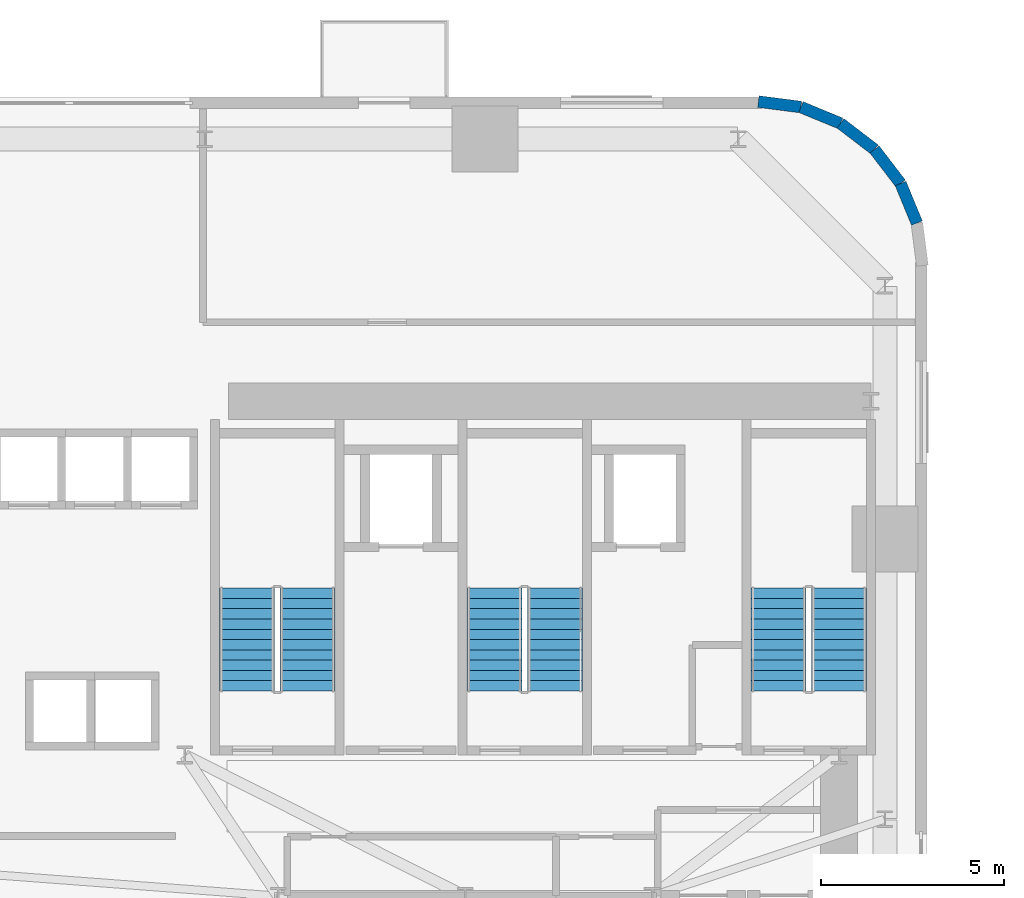
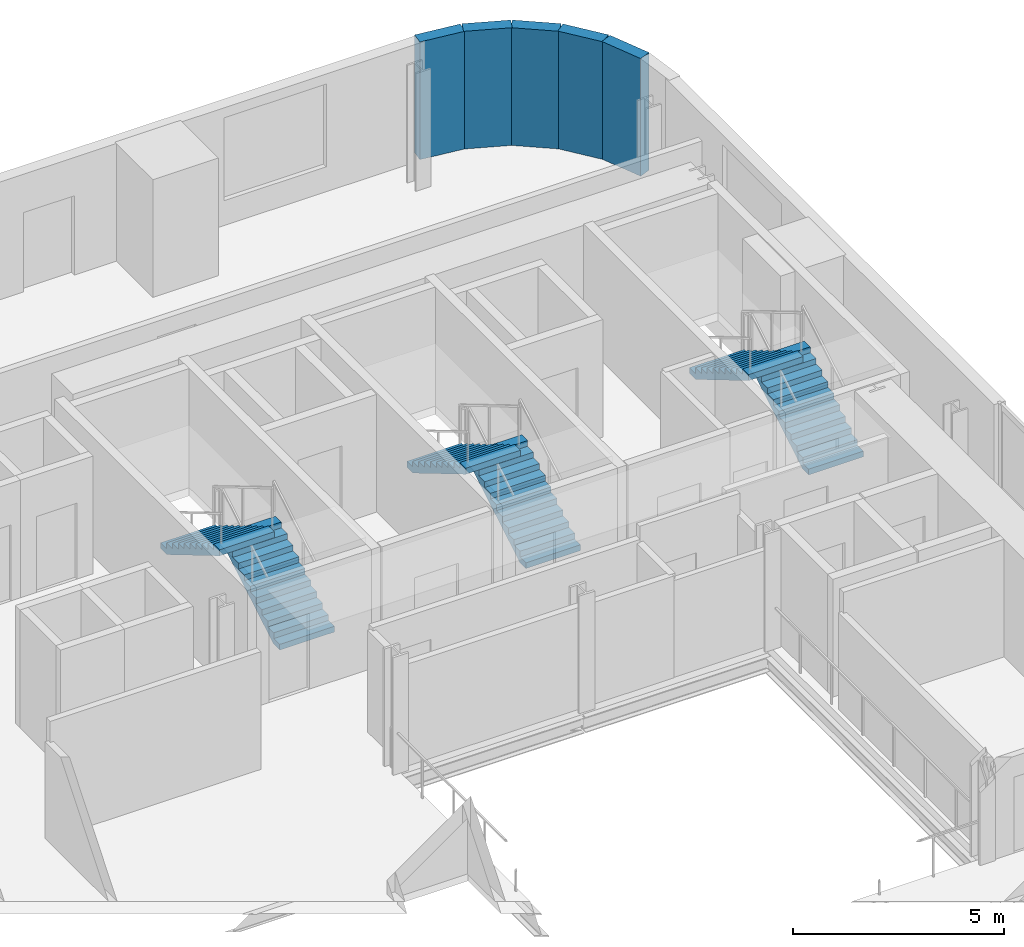
# One storey, part 9 of 13: 6 stair flights, 5 walls, 3 elements without a shape of their own.
"""IFC4 building model written with IfcOpenShell, lengths in metres."""

from ifc_helpers import new_model, si_unit, direction, frame, frame_2d, origin, place, context, subcontext, project, spatial, polyline, rectangle, outline, extrude, source, transform, mapped, material, layer, layer_set, type_object, element, aggregate, save


model = new_model("IFC4")

# Units and contexts
model_context = context("Model", 3, precision=1e-05, world=origin(), true_north=direction((0.0, 1.0)))
body_context = subcontext(model_context, "Body", "Model", "MODEL_VIEW")
ifc_project = project(units=[si_unit("LENGTHUNIT", "METRE"), si_unit("AREAUNIT", "SQUARE_METRE"), si_unit("VOLUMEUNIT", "CUBIC_METRE"), si_unit("PLANEANGLEUNIT", "RADIAN"), si_unit("MASSUNIT", "GRAM", prefix="KILO")], contexts=[model_context])

# Site, building, storey
site_placement = place(None, origin())
site = spatial("IfcSite", under=ifc_project, at=site_placement, CompositionType="ELEMENT")
building_placement = place(site_placement, origin())
building = spatial("IfcBuilding", under=site, at=building_placement, Name="Vardaveli Station Tower", CompositionType="ELEMENT")
storey_placement = place(building_placement, frame((0.0, 0.0, 71.39990234375)))
storey = spatial("IfcBuildingStorey", under=building, at=storey_placement, Name="L18", CompositionType="ELEMENT", Elevation=71.39990234375)

# Walls
ifc_material_1 = material(Name="Precast concrete C45/55", Category="concrete")
ifc_layer = layer(ifc_material_1, 0.320068359375, Name="Precast concrete C45/55")
ifc_layer_set = layer_set([ifc_layer], Name="Precast concrete C45/55")
wall_type = type_object("IfcWallType", Name="WAL-EXT-STONE-320", PredefinedType="SOLIDWALL", material=ifc_layer_set)
shared_shape_1 = source(origin(), body_context, "Body", "SweptSolid", [
    extrude(rectangle(XDim=1.1689453125, YDim=0.320068359375, at=frame_2d((0.58447265625, 0.0))), origin(), (0.0, 0.0, 1.0), 3.41015625),
])
wall_1_placement = place(storey_placement, frame((48.179931640625, 46.2412109375, 0.0), z_axis=(0.0, 0.0, 1.0), x_axis=(-0.608387696831, 0.793639975269, 0.0)))
element("IfcWall", 1, at=wall_1_placement, inside=storey, type_object=wall_type, Name="EW-L18-CR3-3", PredefinedType="SOLIDWALL", context=body_context, shape_type="MappedRepresentation", body=[
    mapped(shared_shape_1, transform((0.0, 0.0, 0.0), scale=1.0)),
])
shared_shape_2 = source(origin(), body_context, "Body", "SweptSolid", [
    extrude(rectangle(XDim=1.168701171875, YDim=0.320068359375, at=frame_2d((0.58447265625, 0.0))), origin(), (0.0, 0.0, 1.0), 3.41015625),
])
wall_2_placement = place(storey_placement, frame((47.46875, 47.1689453125, 0.0), z_axis=(0.0, 0.0, 1.0), x_axis=(-0.793663520347, 0.608356981114, 0.0)))
element("IfcWall", 2, at=wall_2_placement, inside=storey, type_object=wall_type, Name="EW-L18-CR3-4", PredefinedType="SOLIDWALL", context=body_context, shape_type="MappedRepresentation", body=[
    mapped(shared_shape_2, transform((0.0, 0.0, 0.0), scale=1.0)),
])
shared_shape_3 = source(origin(), body_context, "Body", "SweptSolid", [
    extrude(rectangle(XDim=1.17041015625, YDim=0.320068359375, at=frame_2d((0.585205078125, 0.0))), origin(), (0.0, 0.0, 1.0), 3.41015625),
])
wall_3_placement = place(storey_placement, frame((45.460205078125, 48.325439453125, 0.0), z_axis=(0.0, 0.0, 1.0), x_axis=(-0.991735963317, 0.128295670475, 0.0)))
element("IfcWall", 3, at=wall_3_placement, inside=storey, type_object=wall_type, Name="EW-L18-CR3-6", PredefinedType="SOLIDWALL", context=body_context, shape_type="MappedRepresentation", body=[
    mapped(shared_shape_3, transform((0.0, 0.0, 0.0), scale=1.0)),
])
shared_shape_4 = source(origin(), body_context, "Body", "SweptSolid", [
    extrude(rectangle(XDim=1.169189453125, YDim=0.320068359375, at=frame_2d((0.58447265625, 0.0))), origin(), (0.0, 0.0, 1.0), 3.41015625),
])
for number, where, z_axis, x_axis, name in (
    (4, (48.62548828125, 45.16015625, 0.0), (0.0, 0.0, 1.0), (-0.381054331552, 0.924552646638, 0.0), "EW-L18-CR3-2"),
    (5, (46.541259765625, 47.8798828125, 0.0), (0.0, 0.0, 1.0), (-0.924552646638, 0.381054331552, 0.0), "EW-L18-CR3-5"),
):
    element("IfcWall", number, at=place(storey_placement, frame(where, z_axis=z_axis, x_axis=x_axis)), inside=storey, type_object=wall_type, Name=name, PredefinedType="SOLIDWALL", context=body_context, shape_type="MappedRepresentation", body=[
        mapped(shared_shape_4, transform((0.0, 0.0, 0.0), scale=1.0)),
    ])

# Stair, stair flights
ifc_material_2 = material(Name="Concrete C40/50", Category="concrete")
stair_type = type_object("IfcStairType", Name="STR-CORE-1500", PredefinedType="HALF_TURN_STAIR", material=ifc_material_2)
stair_1_placement = place(storey_placement, origin())
stair_1 = element("IfcStair", 6, at=stair_1_placement, inside=storey, type_object=stair_type, Name="L18 ST-1", PredefinedType="HALF_TURN_STAIR")
stair_flight_type = type_object("IfcStairFlightType", Name="SFL-CORE-1500", PredefinedType="STRAIGHT", material=ifc_material_2)
shared_shape_5 = source(origin(), body_context, "Body", "SweptSolid", [
    extrude(outline(polyline([(0.0, 0.0), (0.0, 0.166015625), (0.280029296875, 0.166015625), (0.280029296875, 0.331787109375), (0.56005859375, 0.331787109375), (0.56005859375, 0.497802734375), (0.840087890625, 0.497802734375), (0.840087890625, 0.66357421875), (1.1201171875, 0.66357421875), (1.1201171875, 0.82958984375), (1.39990234375, 0.82958984375), (1.39990234375, 0.995361328125), (1.679931640625, 0.995361328125), (1.679931640625, 1.161376953125), (1.9599609375, 1.161376953125), (1.9599609375, 1.327392578125), (2.239990234375, 1.327392578125), (2.239990234375, 1.4931640625), (2.52001953125, 1.4931640625), (2.52001953125, 1.6591796875), (2.800048828125, 1.6591796875), (2.800048828125, 1.824951171875), (2.800048828125, 1.48486328125), (0.2939453125, 0.0), (0.0, 0.0)])), frame((0.0, 0.75, 0.0), z_axis=(0.0, -1.0, 0.0), x_axis=(1.0, 0.0, 0.0)), (0.0, 0.0, 1.0), 1.5),
])
stair_flight_1_placement = place(storey_placement, frame((32.0, 32.39990234375, 0.0), z_axis=(0.0, 0.0, 1.0), x_axis=(0.0, 1.0, 0.0)))
stair_flight_1 = element("IfcStairFlight", 7, at=stair_flight_1_placement, type_object=stair_flight_type, Name="ST-1 flight 1", NumberOfRisers=11, NumberOfTreads=10, PredefinedType="STRAIGHT", RiserHeight=0.165909091, TreadLength=0.28, context=body_context, shape_type="MappedRepresentation", body=[
    mapped(shared_shape_5, transform((0.0, 0.0, 0.0), scale=1.0)),
])
stair_flight_2_placement = place(storey_placement, frame((30.35009765625, 35.199951171875, 1.8251953125), z_axis=(0.0, 0.0, 1.0), x_axis=(0.0, -1.0, 0.0)))
stair_flight_2 = element("IfcStairFlight", 8, at=stair_flight_2_placement, type_object=stair_flight_type, Name="ST-1 flight 2", NumberOfRisers=11, NumberOfTreads=10, PredefinedType="STRAIGHT", RiserHeight=0.165909091, TreadLength=0.28, context=body_context, shape_type="MappedRepresentation", body=[
    mapped(shared_shape_5, transform((0.0, 0.0, 0.0), scale=1.0)),
])
aggregate(stair_1, [stair_flight_1, stair_flight_2])

stair_2_placement = place(storey_placement, origin())
stair_2 = element("IfcStair", 9, at=stair_2_placement, inside=storey, type_object=stair_type, Name="L18 ST-2", PredefinedType="HALF_TURN_STAIR")
stair_flight_3_placement = place(storey_placement, frame((38.75, 32.39990234375, 0.0), z_axis=(0.0, 0.0, 1.0), x_axis=(0.0, 1.0, 0.0)))
stair_flight_3 = element("IfcStairFlight", 10, at=stair_flight_3_placement, type_object=stair_flight_type, Name="ST-2 flight 1", NumberOfRisers=11, NumberOfTreads=10, PredefinedType="STRAIGHT", RiserHeight=0.165909091, TreadLength=0.28, context=body_context, shape_type="MappedRepresentation", body=[
    mapped(shared_shape_5, transform((0.0, 0.0, 0.0), scale=1.0)),
])
stair_flight_4_placement = place(storey_placement, frame((37.10009765625, 35.199951171875, 1.8251953125), z_axis=(0.0, 0.0, 1.0), x_axis=(0.0, -1.0, 0.0)))
stair_flight_4 = element("IfcStairFlight", 11, at=stair_flight_4_placement, type_object=stair_flight_type, Name="ST-2 flight 2", NumberOfRisers=11, NumberOfTreads=10, PredefinedType="STRAIGHT", RiserHeight=0.165909091, TreadLength=0.28, context=body_context, shape_type="MappedRepresentation", body=[
    mapped(shared_shape_5, transform((0.0, 0.0, 0.0), scale=1.0)),
])
aggregate(stair_2, [stair_flight_3, stair_flight_4])

stair_3_placement = place(storey_placement, origin())
stair_3 = element("IfcStair", 12, at=stair_3_placement, inside=storey, type_object=stair_type, Name="L18 ST-3", PredefinedType="HALF_TURN_STAIR")
stair_flight_5_placement = place(storey_placement, frame((46.5, 32.39990234375, 0.0), z_axis=(0.0, 0.0, 1.0), x_axis=(0.0, 1.0, 0.0)))
stair_flight_5 = element("IfcStairFlight", 13, at=stair_flight_5_placement, type_object=stair_flight_type, Name="ST-3 flight 1", NumberOfRisers=11, NumberOfTreads=10, PredefinedType="STRAIGHT", RiserHeight=0.165909091, TreadLength=0.28, context=body_context, shape_type="MappedRepresentation", body=[
    mapped(shared_shape_5, transform((0.0, 0.0, 0.0), scale=1.0)),
])
stair_flight_6_placement = place(storey_placement, frame((44.85009765625, 35.199951171875, 1.8251953125), z_axis=(0.0, 0.0, 1.0), x_axis=(0.0, -1.0, 0.0)))
stair_flight_6 = element("IfcStairFlight", 14, at=stair_flight_6_placement, type_object=stair_flight_type, Name="ST-3 flight 2", NumberOfRisers=11, NumberOfTreads=10, PredefinedType="STRAIGHT", RiserHeight=0.165909091, TreadLength=0.28, context=body_context, shape_type="MappedRepresentation", body=[
    mapped(shared_shape_5, transform((0.0, 0.0, 0.0), scale=1.0)),
])
aggregate(stair_3, [stair_flight_5, stair_flight_6])

save(model, "model.ifc")
